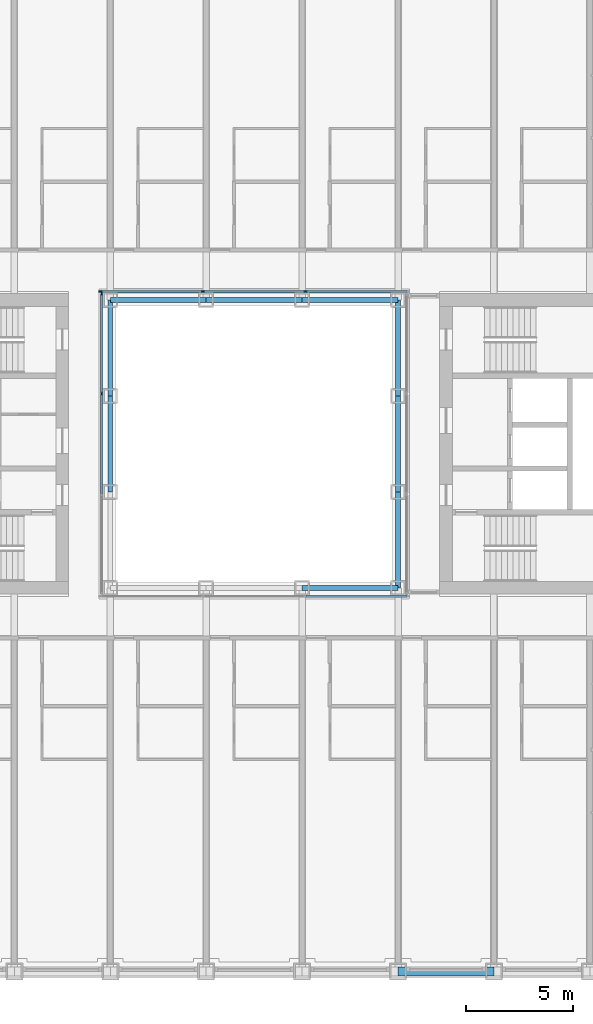
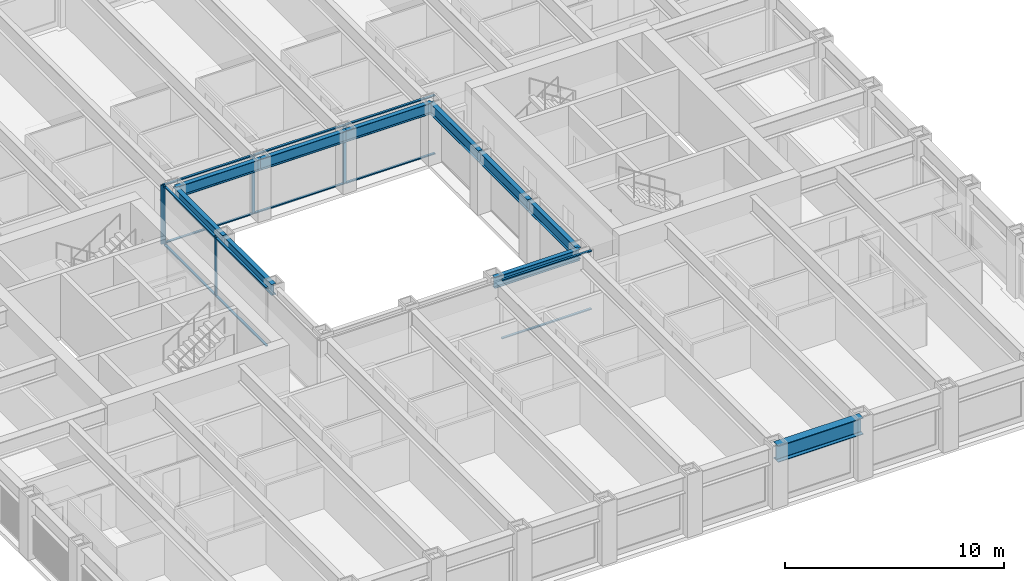
# One storey, part 4 of 21: 17 members, 10 beams, 3 elements without a shape of their own.
"""IFC4 building model written with IfcOpenShell, lengths in metres."""

from ifc_helpers import new_model, si_unit, direction, frame, origin, origin_2d, place, context, subcontext, project, spatial, rectangle, i_section, extrude, material, material_profile, profile_set, type_object, element, aggregate, save


model = new_model("IFC4")

# Units and contexts
model_context = context("Model", 3, precision=1e-05, world=origin(), true_north=direction((0.0, 1.0)))
body_context = subcontext(model_context, "Body", "Model", "MODEL_VIEW")
ifc_project = project(units=[si_unit("LENGTHUNIT", "METRE"), si_unit("AREAUNIT", "SQUARE_METRE"), si_unit("VOLUMEUNIT", "CUBIC_METRE"), si_unit("PLANEANGLEUNIT", "RADIAN"), si_unit("MASSUNIT", "GRAM", prefix="KILO")], contexts=[model_context])

# Site, building, storey
site_placement = place(None, origin())
site = spatial("IfcSite", under=ifc_project, at=site_placement, CompositionType="ELEMENT")
building_placement = place(site_placement, origin())
building = spatial("IfcBuilding", under=site, at=building_placement, Name="Msasa Ring Tower", CompositionType="ELEMENT")
storey_placement = place(building_placement, frame((0.0, 0.0, 30.0)))
storey = spatial("IfcBuildingStorey", under=building, at=storey_placement, Name="L06", CompositionType="ELEMENT", Elevation=30.0)

# Curtain wall, members
ifc_material_1 = material(Name="Aluminium curtain wall with clear glass", Category="aluminium")
curtain_wall_type = type_object("IfcCurtainWallType", Name="CW-W LIGHT WELL CURTAIN WALL", PredefinedType="NOTDEFINED", material=ifc_material_1)
curtain_wall_1_placement = place(storey_placement, origin())
curtain_wall_1 = element("IfcCurtainWall", 1, at=curtain_wall_1_placement, inside=storey, type_object=curtain_wall_type, Name="Light well curtain wall N L06", PredefinedType="NOTDEFINED")
ifc_material_2 = material(Name="Aluminium mullion", Category="aluminium")
ifc_material_profile_1 = material_profile(ifc_material_2, rectangle(XDim=0.06005859375, YDim=0.159912109375, at=origin_2d()), Name="AL 60x160")
ifc_profile_set_1 = profile_set([ifc_material_profile_1], Name="Aluminium mullion")
member_type_1 = type_object("IfcMemberType", Name="CW-W MULLION 60x160", PredefinedType="MULLION", material=ifc_profile_set_1)
member_1_placement = place(storey_placement, frame((-7.199951171875, 7.14990234375, 0.0), z_axis=(0.0, 0.0, 1.0), x_axis=(0.0, 1.0, 0.0)))
member_1 = element("IfcMember", 2, at=member_1_placement, type_object=member_type_1, Name="CW-W mullion 1", PredefinedType="MULLION", context=body_context, shape_type="SweptSolid", body=[
    extrude(rectangle(XDim=0.06005859375, YDim=0.159912109375, at=origin_2d()), origin(), (0.0, 0.0, 1.0), 3.300048828125),
])
member_2_placement = place(storey_placement, frame((-2.409912109375, 7.14990234375, 0.0), z_axis=(0.0, 0.0, 1.0), x_axis=(0.0, 1.0, 0.0)))
member_2 = element("IfcMember", 3, at=member_2_placement, type_object=member_type_1, Name="CW-W mullion 2", PredefinedType="MULLION", context=body_context, shape_type="SweptSolid", body=[
    extrude(rectangle(XDim=0.06005859375, YDim=0.159912109375, at=origin_2d()), origin(), (0.0, 0.0, 1.0), 3.300048828125),
])
member_3_placement = place(storey_placement, frame((2.409912109375, 7.14990234375, 0.0), z_axis=(0.0, 0.0, 1.0), x_axis=(0.0, 1.0, 0.0)))
member_3 = element("IfcMember", 4, at=member_3_placement, type_object=member_type_1, Name="CW-W mullion 3", PredefinedType="MULLION", context=body_context, shape_type="SweptSolid", body=[
    extrude(rectangle(XDim=0.06005859375, YDim=0.159912109375, at=origin_2d()), origin(), (0.0, 0.0, 1.0), 3.300048828125),
])

curtain_wall_2_placement = place(storey_placement, origin())
curtain_wall_2 = element("IfcCurtainWall", 5, at=curtain_wall_2_placement, inside=storey, type_object=curtain_wall_type, Name="Light well curtain wall W L06", PredefinedType="NOTDEFINED")
member_4_placement = place(storey_placement, frame((-7.14990234375, 2.356689453125, 0.0), z_axis=(0.0, 0.0, 1.0), x_axis=(-1.0, 0.0, 0.0)))
member_4 = element("IfcMember", 6, at=member_4_placement, type_object=member_type_1, Name="CW-W mullion 3", PredefinedType="MULLION", context=body_context, shape_type="SweptSolid", body=[
    extrude(rectangle(XDim=0.06005859375, YDim=0.159912109375, at=origin_2d()), origin(), (0.0, 0.0, 1.0), 3.300048828125),
])
member_5_placement = place(storey_placement, frame((-7.14990234375, 7.0400390625, 0.0), z_axis=(0.0, 0.0, 1.0), x_axis=(-1.0, 0.0, 0.0)))
member_5 = element("IfcMember", 7, at=member_5_placement, type_object=member_type_1, Name="CW-W mullion 4", PredefinedType="MULLION", context=body_context, shape_type="SweptSolid", body=[
    extrude(rectangle(XDim=0.06005859375, YDim=0.159912109375, at=origin_2d()), origin(), (0.0, 0.0, 1.0), 3.300048828125),
])

# Member
ifc_material_3 = material(Name="Aluminium transom", Category="aluminium")
ifc_material_profile_2 = material_profile(ifc_material_3, rectangle(XDim=0.1201171875, YDim=0.06005859375, at=origin_2d()), Name="AL 60x120")
ifc_profile_set_2 = profile_set([ifc_material_profile_2], Name="Aluminium transom")
member_type_2 = type_object("IfcMemberType", Name="CW-W TRANSOM 60x120", PredefinedType="USERDEFINED", material=ifc_profile_set_2)
member_6_placement = place(storey_placement, frame((-7.169921875, 7.14990234375, 0.030029296875), z_axis=(1.0, 0.0, 0.0), x_axis=(0.0, 1.0, 0.0)))
member_6 = element("IfcMember", 8, at=member_6_placement, type_object=member_type_2, Name="CW-W transom 1.1", ObjectType="TRANSOM", PredefinedType="USERDEFINED", context=body_context, shape_type="SweptSolid", body=[
    extrude(rectangle(XDim=0.1201171875, YDim=0.06005859375, at=origin_2d()), origin(), (0.0, 0.0, 1.0), 4.72998046875),
])

member_7_placement = place(storey_placement, frame((-7.169921875, 7.14990234375, 3.27001953125), z_axis=(1.0, 0.0, 0.0), x_axis=(0.0, 1.0, 0.0)))
member_7 = element("IfcMember", 9, at=member_7_placement, type_object=member_type_2, Name="CW-W transom 1.2", ObjectType="TRANSOM", PredefinedType="USERDEFINED", context=body_context, shape_type="SweptSolid", body=[
    extrude(rectangle(XDim=0.1201171875, YDim=0.06005859375, at=origin_2d()), origin(), (0.0, 0.0, 1.0), 4.72998046875),
])

member_8_placement = place(storey_placement, frame((-2.3798828125, 7.14990234375, 0.030029296875), z_axis=(1.0, 0.0, 0.0), x_axis=(0.0, 1.0, 0.0)))
member_8 = element("IfcMember", 10, at=member_8_placement, type_object=member_type_2, Name="CW-W transom 2.1", ObjectType="TRANSOM", PredefinedType="USERDEFINED", context=body_context, shape_type="SweptSolid", body=[
    extrude(rectangle(XDim=0.1201171875, YDim=0.06005859375, at=origin_2d()), origin(), (0.0, 0.0, 1.0), 4.759765625),
])

member_9_placement = place(storey_placement, frame((-2.3798828125, 7.14990234375, 3.27001953125), z_axis=(1.0, 0.0, 0.0), x_axis=(0.0, 1.0, 0.0)))
member_9 = element("IfcMember", 11, at=member_9_placement, type_object=member_type_2, Name="CW-W transom 2.2", ObjectType="TRANSOM", PredefinedType="USERDEFINED", context=body_context, shape_type="SweptSolid", body=[
    extrude(rectangle(XDim=0.1201171875, YDim=0.06005859375, at=origin_2d()), origin(), (0.0, 0.0, 1.0), 4.759765625),
])

member_10_placement = place(storey_placement, frame((2.43994140625, 7.14990234375, 0.030029296875), z_axis=(1.0, 0.0, 0.0), x_axis=(0.0, 1.0, 0.0)))
member_10 = element("IfcMember", 12, at=member_10_placement, type_object=member_type_2, Name="CW-W transom 3.1", ObjectType="TRANSOM", PredefinedType="USERDEFINED", context=body_context, shape_type="SweptSolid", body=[
    extrude(rectangle(XDim=0.1201171875, YDim=0.06005859375, at=origin_2d()), origin(), (0.0, 0.0, 1.0), 4.72998046875),
])

member_11_placement = place(storey_placement, frame((2.43994140625, 7.14990234375, 3.27001953125), z_axis=(1.0, 0.0, 0.0), x_axis=(0.0, 1.0, 0.0)))
member_11 = element("IfcMember", 13, at=member_11_placement, type_object=member_type_2, Name="CW-W transom 3.2", ObjectType="TRANSOM", PredefinedType="USERDEFINED", context=body_context, shape_type="SweptSolid", body=[
    extrude(rectangle(XDim=0.1201171875, YDim=0.06005859375, at=origin_2d()), origin(), (0.0, 0.0, 1.0), 4.72998046875),
])

aggregate(curtain_wall_1, [member_1, member_2, member_3, member_6, member_7, member_8, member_9, member_10, member_11])

# Curtain wall, members
curtain_wall_3_placement = place(storey_placement, origin())
curtain_wall_3 = element("IfcCurtainWall", 14, at=curtain_wall_3_placement, inside=storey, type_object=curtain_wall_type, Name="Light well curtain wall S L06", PredefinedType="NOTDEFINED")
member_12_placement = place(storey_placement, frame((2.43994140625, -7.14990234375, 0.030029296875), z_axis=(1.0, 0.0, 0.0), x_axis=(0.0, 1.0, 0.0)))
member_12 = element("IfcMember", 15, at=member_12_placement, type_object=member_type_2, Name="CW-W transom 3.1", ObjectType="TRANSOM", PredefinedType="USERDEFINED", context=body_context, shape_type="SweptSolid", body=[
    extrude(rectangle(XDim=0.1201171875, YDim=0.06005859375, at=origin_2d()), origin(), (0.0, 0.0, 1.0), 4.72998046875),
])
member_13_placement = place(storey_placement, frame((2.43994140625, -7.14990234375, 3.27001953125), z_axis=(1.0, 0.0, 0.0), x_axis=(0.0, 1.0, 0.0)))
member_13 = element("IfcMember", 16, at=member_13_placement, type_object=member_type_2, Name="CW-W transom 3.2", ObjectType="TRANSOM", PredefinedType="USERDEFINED", context=body_context, shape_type="SweptSolid", body=[
    extrude(rectangle(XDim=0.1201171875, YDim=0.06005859375, at=origin_2d()), origin(), (0.0, 0.0, 1.0), 4.72998046875),
])
aggregate(curtain_wall_3, [member_12, member_13])

# Member
member_14_placement = place(storey_placement, frame((-7.14990234375, -2.32666015625, 0.030029296875), z_axis=(0.0, 1.0, 0.0), x_axis=(-1.0, 0.0, 0.0)))
member_14 = element("IfcMember", 17, at=member_14_placement, type_object=member_type_2, Name="CW-W transom 2.1", ObjectType="TRANSOM", PredefinedType="USERDEFINED", context=body_context, shape_type="SweptSolid", body=[
    extrude(rectangle(XDim=0.1201171875, YDim=0.06005859375, at=origin_2d()), origin(), (0.0, 0.0, 1.0), 4.6533203125),
])

member_15_placement = place(storey_placement, frame((-7.14990234375, -2.32666015625, 3.27001953125), z_axis=(0.0, 1.0, 0.0), x_axis=(-1.0, 0.0, 0.0)))
member_15 = element("IfcMember", 18, at=member_15_placement, type_object=member_type_2, Name="CW-W transom 2.2", ObjectType="TRANSOM", PredefinedType="USERDEFINED", context=body_context, shape_type="SweptSolid", body=[
    extrude(rectangle(XDim=0.1201171875, YDim=0.06005859375, at=origin_2d()), origin(), (0.0, 0.0, 1.0), 4.6533203125),
])

member_16_placement = place(storey_placement, frame((-7.14990234375, 2.38671875, 0.030029296875), z_axis=(0.0, 1.0, 0.0), x_axis=(-1.0, 0.0, 0.0)))
member_16 = element("IfcMember", 19, at=member_16_placement, type_object=member_type_2, Name="CW-W transom 3.1", ObjectType="TRANSOM", PredefinedType="USERDEFINED", context=body_context, shape_type="SweptSolid", body=[
    extrude(rectangle(XDim=0.1201171875, YDim=0.06005859375, at=origin_2d()), origin(), (0.0, 0.0, 1.0), 4.623291015625),
])

member_17_placement = place(storey_placement, frame((-7.14990234375, 2.38671875, 3.27001953125), z_axis=(0.0, 1.0, 0.0), x_axis=(-1.0, 0.0, 0.0)))
member_17 = element("IfcMember", 20, at=member_17_placement, type_object=member_type_2, Name="CW-W transom 3.2", ObjectType="TRANSOM", PredefinedType="USERDEFINED", context=body_context, shape_type="SweptSolid", body=[
    extrude(rectangle(XDim=0.1201171875, YDim=0.06005859375, at=origin_2d()), origin(), (0.0, 0.0, 1.0), 4.623291015625),
])

aggregate(curtain_wall_2, [member_4, member_5, member_14, member_15, member_16, member_17])

# Beams
ifc_material_4 = material(Name="Steel S355", Category="steel")
ifc_material_profile_3 = material_profile(ifc_material_4, i_section(OverallWidth=0.230224609375, OverallDepth=0.6171875, WebThickness=0.01318359375, FlangeThickness=0.022216796875, FilletRadius=0.0126953125, at=origin_2d()), Name="UB 610x229x140")
ifc_profile_set_3 = profile_set([ifc_material_profile_3], Name="Steel S355")
beam_type_1 = type_object("IfcBeamType", Name="RB1 UB 610x229x140", PredefinedType="BEAM", material=ifc_profile_set_3)
for number, where, z_axis, x_axis, name in (
    (21, (2.25, -6.75, 2.991455078125), (1.0, 0.0, 0.0), (0.0, 1.0, 0.0), "Inner ring beam IR+2.25-6.75 under L07"),
    (22, (6.75, -6.75, 2.991455078125), (0.0, 1.0, 0.0), (-1.0, 0.0, 0.0), "Inner ring beam IR+6.75-6.75 under L07"),
    (23, (6.75, -2.25, 2.991455078125), (0.0, 1.0, 0.0), (-1.0, 0.0, 0.0), "Inner ring beam IR+6.75-2.25 under L07"),
    (24, (6.75, 2.25, 2.991455078125), (0.0, 1.0, 0.0), (-1.0, 0.0, 0.0), "Inner ring beam IR+6.75+2.25 under L07"),
    (25, (6.75, 6.75, 2.991455078125), (-1.0, 0.0, 0.0), (0.0, -1.0, 0.0), "Inner ring beam IR+6.75+6.75 under L07"),
    (26, (2.25, 6.75, 2.991455078125), (-1.0, 0.0, 0.0), (0.0, -1.0, 0.0), "Inner ring beam IR+2.25+6.75 under L07"),
    (27, (-2.25, 6.75, 2.991455078125), (-1.0, 0.0, 0.0), (0.0, -1.0, 0.0), "Inner ring beam IR-2.25+6.75 under L07"),
    (28, (-6.75, 6.75, 2.991455078125), (0.0, -1.0, 0.0), (1.0, 0.0, 0.0), "Inner ring beam IR-6.75+6.75 under L07"),
    (29, (-6.75, 2.25, 2.991455078125), (0.0, -1.0, 0.0), (1.0, 0.0, 0.0), "Inner ring beam IR-6.75+2.25 under L07"),
):
    element("IfcBeam", number, at=place(storey_placement, frame(where, z_axis=z_axis, x_axis=x_axis)), inside=storey, type_object=beam_type_1, Name=name, PredefinedType="BEAM", context=body_context, shape_type="SweptSolid", body=[
        extrude(i_section(OverallWidth=0.230224609375, OverallDepth=0.6171875, WebThickness=0.01318359375, FlangeThickness=0.022216796875, FilletRadius=0.0126953125, at=origin_2d()), origin(), (0.0, 0.0, 1.0), 4.5),
    ])
ifc_material_5 = material(Name="Steel S355", Category="steel")
ifc_material_profile_4 = material_profile(ifc_material_5, i_section(OverallWidth=0.42041015625, OverallDepth=0.9208984375, WebThickness=0.021484375, FlangeThickness=0.03662109375, FilletRadius=0.024169921875, at=origin_2d()), Name="UB 914x419x388")
ifc_profile_set_4 = profile_set([ifc_material_profile_4], Name="Steel S355")
beam_type_2 = type_object("IfcBeamType", Name="SB1 UB 914x419x388", PredefinedType="SPANDREL", material=ifc_profile_set_4)
beam_placement = place(storey_placement, frame((6.75, -24.75, 2.839599609375), z_axis=(1.0, 0.0, 0.0), x_axis=(0.0, 1.0, 0.0)))
element("IfcBeam", 30, at=beam_placement, inside=storey, type_object=beam_type_2, Name="Spandrel S+6.75 to S+11.25 under L07", PredefinedType="SPANDREL", context=body_context, shape_type="SweptSolid", body=[
    extrude(i_section(OverallWidth=0.42041015625, OverallDepth=0.9208984375, WebThickness=0.021484375, FlangeThickness=0.03662109375, FilletRadius=0.024169921875, at=origin_2d()), origin(), (0.0, 0.0, 1.0), 4.5),
])

save(model, "model.ifc")
